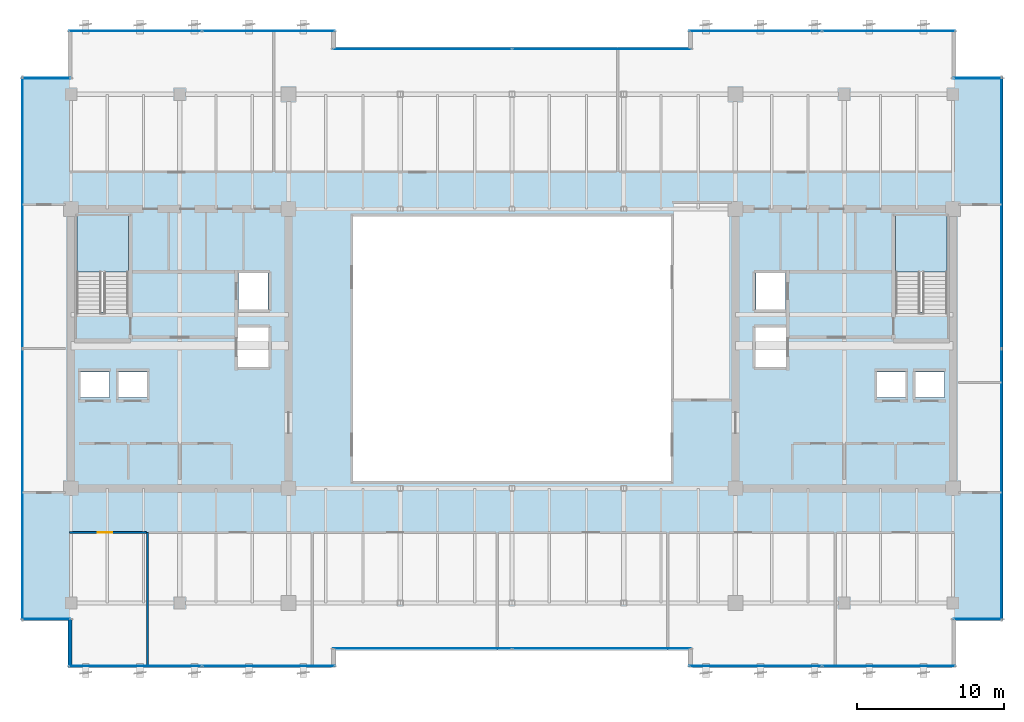
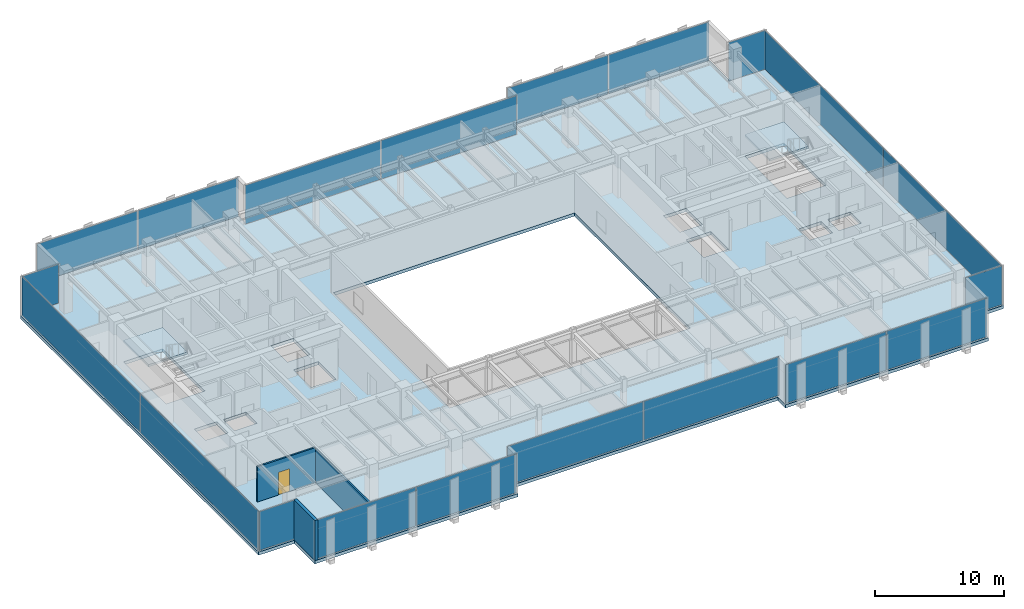
# One storey, part 27 of 36: 20 plates, 3 slabs, 3 walls, 1 door, 1 opening, 14 elements without a shape of their own.
"""IFC4 building model written with IfcOpenShell, lengths in metres."""

from ifc_helpers import new_model, si_unit, direction, frame, frame_2d, origin, origin_2d, place, context, subcontext, project, spatial, polyline, rectangle, outline, extrude, source, transform, mapped, material, layer, layer_set, type_object, type_shapes, element, fill, aggregate, save


model = new_model("IFC4")

# Units and contexts
model_context = context("Model", 3, precision=1e-05, world=origin(), true_north=direction((0.0, 1.0)))
body_context = subcontext(model_context, "Body", "Model", "MODEL_VIEW")
ifc_project = project(units=[si_unit("LENGTHUNIT", "METRE"), si_unit("AREAUNIT", "SQUARE_METRE"), si_unit("VOLUMEUNIT", "CUBIC_METRE"), si_unit("PLANEANGLEUNIT", "RADIAN"), si_unit("MASSUNIT", "GRAM", prefix="KILO")], contexts=[model_context])

# Site, building, storey
site_placement = place(None, origin())
site = spatial("IfcSite", under=ifc_project, at=site_placement, CompositionType="ELEMENT")
building_placement = place(site_placement, origin())
building = spatial("IfcBuilding", under=site, at=building_placement, Name="Haelvirn Gate Laboratories", CompositionType="ELEMENT")
storey_placement = place(building_placement, frame((0.0, 0.0, 242.39990234375)))
storey = spatial("IfcBuildingStorey", under=building, at=storey_placement, Name="L58", CompositionType="ELEMENT", Elevation=242.39990234375)

# Stair, slab
ifc_material_1 = material(Name="Concrete C40/50", Category="concrete")
stair_type = type_object("IfcStairType", Name="ST-DOG-1650-R22", PredefinedType="HALF_TURN_STAIR", material=ifc_material_1)
stair_1_placement = place(storey_placement, origin())
stair_1 = element("IfcStair", 1, at=stair_1_placement, inside=storey, type_object=stair_type, Name="L58 Escape Stair ST1", PredefinedType="HALF_TURN_STAIR")
ifc_layer_1 = layer(ifc_material_1, 0.199951171875, Name="SL-STAIR-LND")
ifc_layer_set_1 = layer_set([ifc_layer_1], Name="Concrete C40/50")
slab_type_1 = type_object("IfcSlabType", Name="SL-STAIR-LND", PredefinedType="LANDING", material=ifc_layer_set_1)
slab_1_placement = place(storey_placement, frame((0.0, 0.0, 1.85009765625)))
slab_1 = element("IfcSlab", 2, at=slab_1_placement, type_object=slab_type_1, Name="ST1 landing 1", PredefinedType="LANDING", context=body_context, shape_type="SweptSolid", body=[
    extrude(outline(polyline([(11.300048828125, 29.5), (11.300048828125, 33.35009765625), (7.800048828125, 33.35009765625), (7.800048828125, 29.5), (11.300048828125, 29.5)])), origin(), (0.0, 0.0, 1.0), 0.199951171875),
])
aggregate(stair_1, [slab_1])

stair_2_placement = place(storey_placement, origin())
stair_2 = element("IfcStair", 3, at=stair_2_placement, inside=storey, type_object=stair_type, Name="L58 Escape Stair ST2", PredefinedType="HALF_TURN_STAIR")
slab_2_placement = place(storey_placement, frame((0.0, 0.0, 1.85009765625)))
slab_2 = element("IfcSlab", 4, at=slab_2_placement, type_object=slab_type_1, Name="ST2 landing 1", PredefinedType="LANDING", context=body_context, shape_type="SweptSolid", body=[
    extrude(outline(polyline([(67.0, 29.5), (67.0, 33.35009765625), (63.5, 33.35009765625), (63.5, 29.5), (67.0, 29.5)])), origin(), (0.0, 0.0, 1.0), 0.199951171875),
])
aggregate(stair_2, [slab_2])

# Slab
ifc_layer_2 = layer(ifc_material_1, 0.300048828125, Name="SL-Z3-300")
ifc_layer_set_2 = layer_set([ifc_layer_2], Name="Concrete C40/50")
slab_type_2 = type_object("IfcSlabType", Name="SL-Z3-300", PredefinedType="FLOOR", material=ifc_layer_set_2)
slab_3_placement = place(storey_placement, frame((0.0, 0.0, -0.2998046875)))
element("IfcSlab", 5, at=slab_3_placement, inside=storey, type_object=slab_type_2, Name="L58 Structural Slab MAIN", PredefinedType="FLOOR", context=body_context, shape_type="SweptSolid", body=[
    extrude(outline(polyline([(7.199951171875, 2.60009765625), (25.39990234375, 2.60009765625), (25.39990234375, 3.800048828125), (49.39990234375, 3.800048828125), (49.39990234375, 2.60009765625), (67.60009765625, 2.60009765625), (67.60009765625, 5.800048828125), (70.800048828125, 5.800048828125), (70.800048828125, 42.800048828125), (67.60009765625, 42.800048828125), (67.60009765625, 46.0), (49.39990234375, 46.0), (49.39990234375, 44.800048828125), (25.39990234375, 44.800048828125), (25.39990234375, 46.0), (7.199951171875, 46.0), (7.199951171875, 42.800048828125), (4.0, 42.800048828125), (4.0, 5.800048828125), (7.199951171875, 5.800048828125), (7.199951171875, 2.60009765625)]), holes=[polyline([(26.60009765625, 15.300048828125), (48.199951171875, 15.300048828125), (48.199951171875, 33.300048828125), (26.60009765625, 33.300048828125), (26.60009765625, 15.300048828125)]), polyline([(11.300048828125, 26.780029296875), (11.300048828125, 33.35009765625), (7.800048828125, 33.35009765625), (7.800048828125, 26.780029296875), (11.300048828125, 26.780029296875)]), polyline([(67.0, 26.780029296875), (67.0, 33.35009765625), (63.5, 33.35009765625), (63.5, 26.780029296875), (67.0, 26.780029296875)]), polyline([(7.989990234375, 20.969970703125), (10.010009765625, 20.969970703125), (10.010009765625, 22.7099609375), (7.989990234375, 22.7099609375), (7.989990234375, 20.969970703125)]), polyline([(10.590087890625, 20.969970703125), (12.610107421875, 20.969970703125), (12.610107421875, 22.7099609375), (10.590087890625, 22.7099609375), (10.590087890625, 20.969970703125)]), polyline([(18.7900390625, 26.969970703125), (20.81005859375, 26.969970703125), (20.81005859375, 29.510009765625), (18.7900390625, 29.510009765625), (18.7900390625, 26.969970703125)]), polyline([(18.68994140625, 23.070068359375), (20.909912109375, 23.070068359375), (20.909912109375, 25.81005859375), (18.68994140625, 25.81005859375), (18.68994140625, 23.070068359375)]), polyline([(64.7900390625, 20.969970703125), (66.81005859375, 20.969970703125), (66.81005859375, 22.7099609375), (64.7900390625, 22.7099609375), (64.7900390625, 20.969970703125)]), polyline([(62.18994140625, 20.969970703125), (64.2099609375, 20.969970703125), (64.2099609375, 22.7099609375), (62.18994140625, 22.7099609375), (62.18994140625, 20.969970703125)]), polyline([(53.989990234375, 26.969970703125), (56.010009765625, 26.969970703125), (56.010009765625, 29.510009765625), (53.989990234375, 29.510009765625), (53.989990234375, 26.969970703125)]), polyline([(53.889892578125, 23.070068359375), (56.110107421875, 23.070068359375), (56.110107421875, 25.81005859375), (53.889892578125, 25.81005859375), (53.889892578125, 23.070068359375)])]), origin(), (0.0, 0.0, 1.0), 0.2998046875),
])

# Curtain wall, plates
ifc_material_2 = material(Name="Anodised bronze unitised aluminium & triple low-E glass", Category="aluminium")
ifc_layer_3 = layer(ifc_material_2, 0.176025390625, Name="CW-SYS-4")
ifc_layer_set_3 = layer_set([ifc_layer_3], Name="Anodised bronze unitised aluminium & triple low-E glass")
curtain_wall_type_1 = type_object("IfcCurtainWallType", Name="CW-SYS-4", PredefinedType="NOTDEFINED", material=ifc_layer_set_3)
curtain_wall_1_placement = place(storey_placement, origin())
curtain_wall_1 = element("IfcCurtainWall", 6, at=curtain_wall_1_placement, inside=storey, type_object=curtain_wall_type_1, Name="L58 Unitised Curtain Wall CW-L58-P0-E00-1", PredefinedType="NOTDEFINED")
ifc_material_3 = material(Name="Acoustic laminated bronze triple IGU 36 mm", Category="glass")
ifc_layer_4 = layer(ifc_material_3, 0.035888671875, Name="CWP-IGU-36")
ifc_layer_set_4 = layer_set([ifc_layer_4], Name="Acoustic laminated bronze triple IGU 36 mm")
plate_type_1 = type_object("IfcPlateType", Name="CWP-IGU-36", PredefinedType="CURTAIN_PANEL", material=ifc_layer_set_4)
shared_shape_1 = source(origin(), body_context, "Body", "SweptSolid", [
    extrude(rectangle(XDim=8.9951171875, YDim=0.035888671875, at=origin_2d()), origin(), (0.0, 0.0, 1.0), 3.669921875),
])
plate_1_placement = place(storey_placement, frame((11.767578125, 2.699951171875, 0.065185546875), z_axis=(0.0, 0.0, 1.0), x_axis=(1.0, 0.0, 0.0)))
plate_1 = element("IfcPlate", 7, at=plate_1_placement, type_object=plate_type_1, Name="CW4 panel 1.1", PredefinedType="CURTAIN_PANEL", context=body_context, shape_type="MappedRepresentation", body=[
    mapped(shared_shape_1, transform((0.0, 0.0, 0.0), scale=1.0)),
])
plate_2_placement = place(storey_placement, frame((20.83251953125, 2.699951171875, 0.065185546875), z_axis=(0.0, 0.0, 1.0), x_axis=(1.0, 0.0, 0.0)))
plate_2 = element("IfcPlate", 8, at=plate_2_placement, type_object=plate_type_1, Name="CW4 panel 2.1", PredefinedType="CURTAIN_PANEL", context=body_context, shape_type="MappedRepresentation", body=[
    mapped(shared_shape_1, transform((0.0, 0.0, 0.0), scale=1.0)),
])
aggregate(curtain_wall_1, [plate_1, plate_2])

curtain_wall_2_placement = place(storey_placement, origin())
curtain_wall_2 = element("IfcCurtainWall", 9, at=curtain_wall_2_placement, inside=storey, type_object=curtain_wall_type_1, Name="L58 Unitised Curtain Wall CW-L58-P0-E04-1", PredefinedType="NOTDEFINED")
plate_3_placement = place(storey_placement, frame((53.967529296875, 2.699951171875, 0.065185546875), z_axis=(0.0, 0.0, 1.0), x_axis=(1.0, 0.0, 0.0)))
plate_3 = element("IfcPlate", 10, at=plate_3_placement, type_object=plate_type_1, Name="CW4 panel 1.1", PredefinedType="CURTAIN_PANEL", context=body_context, shape_type="MappedRepresentation", body=[
    mapped(shared_shape_1, transform((0.0, 0.0, 0.0), scale=1.0)),
])
plate_4_placement = place(storey_placement, frame((63.032470703125, 2.699951171875, 0.065185546875), z_axis=(0.0, 0.0, 1.0), x_axis=(1.0, 0.0, 0.0)))
plate_4 = element("IfcPlate", 11, at=plate_4_placement, type_object=plate_type_1, Name="CW4 panel 2.1", PredefinedType="CURTAIN_PANEL", context=body_context, shape_type="MappedRepresentation", body=[
    mapped(shared_shape_1, transform((0.0, 0.0, 0.0), scale=1.0)),
])
aggregate(curtain_wall_2, [plate_3, plate_4])

curtain_wall_3_placement = place(storey_placement, origin())
curtain_wall_3 = element("IfcCurtainWall", 12, at=curtain_wall_3_placement, inside=storey, type_object=curtain_wall_type_1, Name="L58 Unitised Curtain Wall CW-L58-P0-E10-1", PredefinedType="NOTDEFINED")
plate_5_placement = place(storey_placement, frame((53.967529296875, 45.89990234375, 0.065185546875), z_axis=(0.0, 0.0, 1.0), x_axis=(1.0, 0.0, 0.0)))
plate_5 = element("IfcPlate", 13, at=plate_5_placement, type_object=plate_type_1, Name="CW4 panel 1.1", PredefinedType="CURTAIN_PANEL", context=body_context, shape_type="MappedRepresentation", body=[
    mapped(shared_shape_1, transform((0.0, 0.0, 0.0), scale=1.0)),
])
plate_6_placement = place(storey_placement, frame((63.032470703125, 45.89990234375, 0.065185546875), z_axis=(0.0, 0.0, 1.0), x_axis=(1.0, 0.0, 0.0)))
plate_6 = element("IfcPlate", 14, at=plate_6_placement, type_object=plate_type_1, Name="CW4 panel 2.1", PredefinedType="CURTAIN_PANEL", context=body_context, shape_type="MappedRepresentation", body=[
    mapped(shared_shape_1, transform((0.0, 0.0, 0.0), scale=1.0)),
])
aggregate(curtain_wall_3, [plate_5, plate_6])

curtain_wall_4_placement = place(storey_placement, origin())
curtain_wall_4 = element("IfcCurtainWall", 15, at=curtain_wall_4_placement, inside=storey, type_object=curtain_wall_type_1, Name="L58 Unitised Curtain Wall CW-L58-P0-E14-1", PredefinedType="NOTDEFINED")
plate_7_placement = place(storey_placement, frame((11.767578125, 45.89990234375, 0.065185546875), z_axis=(0.0, 0.0, 1.0), x_axis=(1.0, 0.0, 0.0)))
plate_7 = element("IfcPlate", 16, at=plate_7_placement, type_object=plate_type_1, Name="CW4 panel 1.1", PredefinedType="CURTAIN_PANEL", context=body_context, shape_type="MappedRepresentation", body=[
    mapped(shared_shape_1, transform((0.0, 0.0, 0.0), scale=1.0)),
])
plate_8_placement = place(storey_placement, frame((20.83251953125, 45.89990234375, 0.065185546875), z_axis=(0.0, 0.0, 1.0), x_axis=(1.0, 0.0, 0.0)))
plate_8 = element("IfcPlate", 17, at=plate_8_placement, type_object=plate_type_1, Name="CW4 panel 2.1", PredefinedType="CURTAIN_PANEL", context=body_context, shape_type="MappedRepresentation", body=[
    mapped(shared_shape_1, transform((0.0, 0.0, 0.0), scale=1.0)),
])
aggregate(curtain_wall_4, [plate_7, plate_8])

curtain_wall_5_placement = place(storey_placement, origin())
curtain_wall_5 = element("IfcCurtainWall", 18, at=curtain_wall_5_placement, inside=storey, type_object=curtain_wall_type_1, Name="L58 Unitised Curtain Wall CW-L58-P0-E02-1", PredefinedType="NOTDEFINED")
shared_shape_2 = source(origin(), body_context, "Body", "SweptSolid", [
    extrude(rectangle(XDim=12.135009765625, YDim=0.035888671875, at=origin_2d()), origin(), (0.0, 0.0, 1.0), 3.669921875),
])
plate_9_placement = place(storey_placement, frame((31.297607421875, 3.89990234375, 0.065185546875), z_axis=(0.0, 0.0, 1.0), x_axis=(1.0, 0.0, 0.0)))
plate_9 = element("IfcPlate", 19, at=plate_9_placement, type_object=plate_type_1, Name="CW4 panel 1.1", PredefinedType="CURTAIN_PANEL", context=body_context, shape_type="MappedRepresentation", body=[
    mapped(shared_shape_2, transform((0.0, 0.0, 0.0), scale=1.0)),
])
plate_10_placement = place(storey_placement, frame((43.50244140625, 3.89990234375, 0.065185546875), z_axis=(0.0, 0.0, 1.0), x_axis=(1.0, 0.0, 0.0)))
plate_10 = element("IfcPlate", 20, at=plate_10_placement, type_object=plate_type_1, Name="CW4 panel 2.1", PredefinedType="CURTAIN_PANEL", context=body_context, shape_type="MappedRepresentation", body=[
    mapped(shared_shape_2, transform((0.0, 0.0, 0.0), scale=1.0)),
])
aggregate(curtain_wall_5, [plate_9, plate_10])

curtain_wall_6_placement = place(storey_placement, origin())
curtain_wall_6 = element("IfcCurtainWall", 21, at=curtain_wall_6_placement, inside=storey, type_object=curtain_wall_type_1, Name="L58 Unitised Curtain Wall CW-L58-P0-E12-1", PredefinedType="NOTDEFINED")
plate_11_placement = place(storey_placement, frame((31.297607421875, 44.699951171875, 0.065185546875), z_axis=(0.0, 0.0, 1.0), x_axis=(1.0, 0.0, 0.0)))
plate_11 = element("IfcPlate", 22, at=plate_11_placement, type_object=plate_type_1, Name="CW4 panel 1.1", PredefinedType="CURTAIN_PANEL", context=body_context, shape_type="MappedRepresentation", body=[
    mapped(shared_shape_2, transform((0.0, 0.0, 0.0), scale=1.0)),
])
plate_12_placement = place(storey_placement, frame((43.50244140625, 44.699951171875, 0.065185546875), z_axis=(0.0, 0.0, 1.0), x_axis=(1.0, 0.0, 0.0)))
plate_12 = element("IfcPlate", 23, at=plate_12_placement, type_object=plate_type_1, Name="CW4 panel 2.1", PredefinedType="CURTAIN_PANEL", context=body_context, shape_type="MappedRepresentation", body=[
    mapped(shared_shape_2, transform((0.0, 0.0, 0.0), scale=1.0)),
])
aggregate(curtain_wall_6, [plate_11, plate_12])

# Curtain wall, plate
ifc_layer_5 = layer(ifc_material_2, 0.181884765625, Name="CW-SYS-5")
ifc_layer_set_5 = layer_set([ifc_layer_5], Name="Anodised bronze unitised aluminium & triple low-E glass")
curtain_wall_type_2 = type_object("IfcCurtainWallType", Name="CW-SYS-5", PredefinedType="NOTDEFINED", material=ifc_layer_set_5)
curtain_wall_7_placement = place(storey_placement, origin())
curtain_wall_7 = element("IfcCurtainWall", 24, at=curtain_wall_7_placement, inside=storey, type_object=curtain_wall_type_2, Name="L58 Unitised Curtain Wall CW-L58-P0-E06-1", PredefinedType="NOTDEFINED")
ifc_material_4 = material(Name="Clear low-iron notched-corner triple IGU 42 mm", Category="glass")
ifc_layer_6 = layer(ifc_material_4, 0.0419921875, Name="CWP-NTC-42")
ifc_layer_set_6 = layer_set([ifc_layer_6], Name="Clear low-iron notched-corner triple IGU 42 mm")
plate_type_2 = type_object("IfcPlateType", Name="CWP-NTC-42", PredefinedType="CURTAIN_PANEL", material=ifc_layer_set_6)
shared_shape_3 = source(origin(), body_context, "Body", "SweptSolid", [
    extrude(rectangle(XDim=3.280029296875, YDim=0.0419921875, at=origin_2d()), origin(), (0.0, 0.0, 1.0), 3.669921875),
])
type_shapes(plate_type_2, [shared_shape_3])
plate_13_placement = place(storey_placement, frame((69.080078125, 5.89990234375, 0.065185546875), z_axis=(0.0, 0.0, 1.0), x_axis=(1.0, 0.0, 0.0)))
plate_13 = element("IfcPlate", 25, at=plate_13_placement, type_object=plate_type_2, Name="CW5 panel 1.1", PredefinedType="CURTAIN_PANEL", context=body_context, shape_type="MappedRepresentation", body=[
    mapped(shared_shape_3, transform((0.0, 0.0, 0.0), scale=1.0)),
])
aggregate(curtain_wall_7, [plate_13])

curtain_wall_8_placement = place(storey_placement, origin())
curtain_wall_8 = element("IfcCurtainWall", 26, at=curtain_wall_8_placement, inside=storey, type_object=curtain_wall_type_2, Name="L58 Unitised Curtain Wall CW-L58-P0-E08-1", PredefinedType="NOTDEFINED")
plate_14_placement = place(storey_placement, frame((69.080078125, 42.699951171875, 0.065185546875), z_axis=(0.0, 0.0, 1.0), x_axis=(1.0, 0.0, 0.0)))
plate_14 = element("IfcPlate", 27, at=plate_14_placement, type_object=plate_type_2, Name="CW5 panel 1.1", PredefinedType="CURTAIN_PANEL", context=body_context, shape_type="MappedRepresentation", body=[
    mapped(shared_shape_3, transform((0.0, 0.0, 0.0), scale=1.0)),
])
aggregate(curtain_wall_8, [plate_14])

curtain_wall_9_placement = place(storey_placement, origin())
curtain_wall_9 = element("IfcCurtainWall", 28, at=curtain_wall_9_placement, inside=storey, type_object=curtain_wall_type_2, Name="L58 Unitised Curtain Wall CW-L58-P0-E16-1", PredefinedType="NOTDEFINED")
plate_15_placement = place(storey_placement, frame((5.719970703125, 42.699951171875, 0.065185546875), z_axis=(0.0, 0.0, 1.0), x_axis=(1.0, 0.0, 0.0)))
plate_15 = element("IfcPlate", 29, at=plate_15_placement, type_object=plate_type_2, Name="CW5 panel 1.1", PredefinedType="CURTAIN_PANEL", context=body_context, shape_type="MappedRepresentation", body=[
    mapped(shared_shape_3, transform((0.0, 0.0, 0.0), scale=1.0)),
])
aggregate(curtain_wall_9, [plate_15])

curtain_wall_10_placement = place(storey_placement, origin())
curtain_wall_10 = element("IfcCurtainWall", 30, at=curtain_wall_10_placement, inside=storey, type_object=curtain_wall_type_2, Name="L58 Unitised Curtain Wall CW-L58-P0-E18-1", PredefinedType="NOTDEFINED")
plate_16_placement = place(storey_placement, frame((5.719970703125, 5.89990234375, 0.065185546875), z_axis=(0.0, 0.0, 1.0), x_axis=(1.0, 0.0, 0.0)))
plate_16 = element("IfcPlate", 31, at=plate_16_placement, type_object=plate_type_2, Name="CW5 panel 1.1", PredefinedType="CURTAIN_PANEL", context=body_context, shape_type="MappedRepresentation", body=[
    mapped(shared_shape_3, transform((0.0, 0.0, 0.0), scale=1.0)),
])
aggregate(curtain_wall_10, [plate_16])

# Curtain wall, plates
curtain_wall_11_placement = place(storey_placement, origin())
curtain_wall_11 = element("IfcCurtainWall", 32, at=curtain_wall_11_placement, inside=storey, type_object=curtain_wall_type_1, Name="L58 Unitised Curtain Wall CW-L58-P0-E07", PredefinedType="NOTDEFINED")
shared_shape_4 = source(origin(), body_context, "Body", "SweptSolid", [
    extrude(rectangle(XDim=18.39501953125, YDim=0.035888671875, at=origin_2d()), origin(), (0.0, 0.0, 1.0), 3.669921875),
])
type_shapes(plate_type_1, [shared_shape_1, shared_shape_2, shared_shape_4])
plate_17_placement = place(storey_placement, frame((70.699951171875, 15.0673828125, 0.065185546875), z_axis=(0.0, 0.0, 1.0), x_axis=(0.0, 1.0, 0.0)))
plate_17 = element("IfcPlate", 33, at=plate_17_placement, type_object=plate_type_1, Name="CW4 panel 1.1", PredefinedType="CURTAIN_PANEL", context=body_context, shape_type="MappedRepresentation", body=[
    mapped(shared_shape_4, transform((0.0, 0.0, 0.0), scale=1.0)),
])
plate_18_placement = place(storey_placement, frame((70.699951171875, 33.532470703125, 0.065185546875), z_axis=(0.0, 0.0, 1.0), x_axis=(0.0, 1.0, 0.0)))
plate_18 = element("IfcPlate", 34, at=plate_18_placement, type_object=plate_type_1, Name="CW4 panel 2.1", PredefinedType="CURTAIN_PANEL", context=body_context, shape_type="MappedRepresentation", body=[
    mapped(shared_shape_4, transform((0.0, 0.0, 0.0), scale=1.0)),
])
aggregate(curtain_wall_11, [plate_17, plate_18])

curtain_wall_12_placement = place(storey_placement, origin())
curtain_wall_12 = element("IfcCurtainWall", 35, at=curtain_wall_12_placement, inside=storey, type_object=curtain_wall_type_1, Name="L58 Unitised Curtain Wall CW-L58-P0-E17", PredefinedType="NOTDEFINED")
plate_19_placement = place(storey_placement, frame((4.10009765625, 33.532470703125, 0.065185546875), z_axis=(0.0, 0.0, 1.0), x_axis=(0.0, -1.0, 0.0)))
plate_19 = element("IfcPlate", 36, at=plate_19_placement, type_object=plate_type_1, Name="CW4 panel 1.1", PredefinedType="CURTAIN_PANEL", context=body_context, shape_type="MappedRepresentation", body=[
    mapped(shared_shape_4, transform((0.0, 0.0, 0.0), scale=1.0)),
])
plate_20_placement = place(storey_placement, frame((4.10009765625, 15.0673828125, 0.065185546875), z_axis=(0.0, 0.0, 1.0), x_axis=(0.0, -1.0, 0.0)))
plate_20 = element("IfcPlate", 37, at=plate_20_placement, type_object=plate_type_1, Name="CW4 panel 2.1", PredefinedType="CURTAIN_PANEL", context=body_context, shape_type="MappedRepresentation", body=[
    mapped(shared_shape_4, transform((0.0, 0.0, 0.0), scale=1.0)),
])
aggregate(curtain_wall_12, [plate_19, plate_20])

# Walls
ifc_material_5 = material(Name="Thermally-broken bronze aluminium rainscreen & mineral wool", Category="aluminium")
ifc_layer_7 = layer(ifc_material_5, 0.280029296875, Name="EW-TERR-280")
ifc_layer_set_7 = layer_set([ifc_layer_7], Name="Thermally-broken bronze aluminium rainscreen & mineral wool")
wall_type_1 = type_object("IfcWallType", Name="EW-TERR-280", PredefinedType="STANDARD", material=ifc_layer_set_7)
wall_1_placement = place(storey_placement, frame((7.340087890625, 5.887939453125, 0.0), z_axis=(0.0, 0.0, 1.0), x_axis=(0.0, -1.0, 0.0)))
element("IfcWall", 38, at=wall_1_placement, inside=storey, type_object=wall_type_1, Name="L58 Atrium Recess Bronze Return Wall 19", PredefinedType="STANDARD", context=body_context, shape_type="SweptSolid", body=[
    extrude(rectangle(XDim=3.287841796875, YDim=0.280029296875, at=frame_2d((1.64404296875, 0.0))), origin(), (0.0, 0.0, 1.0), 3.800048828125),
])
ifc_material_6 = material(Name="Double-layer acoustic gypsum laboratory partition", Category="gypsum")
ifc_layer_8 = layer(ifc_material_6, 0.159912109375, Name="IW-ACOUST-160")
ifc_layer_set_8 = layer_set([ifc_layer_8], Name="Double-layer acoustic gypsum laboratory partition")
wall_type_2 = type_object("IfcWallType", Name="IW-ACOUST-160", PredefinedType="PARTITIONING", material=ifc_layer_set_8)
wall_2_placement = place(storey_placement, frame((12.60009765625, 2.7099609375, 0.0), z_axis=(0.0, 0.0, 1.0), x_axis=(0.0, 1.0, 0.0)))
element("IfcWall", 39, at=wall_2_placement, inside=storey, type_object=wall_type_2, Name="L58 Interior Wall IW-L58-SDIV-01", PredefinedType="PARTITIONING", context=body_context, shape_type="SweptSolid", body=[
    extrude(rectangle(XDim=9.080078125, YDim=0.159912109375, at=frame_2d((4.5400390625, 0.0))), origin(), (0.0, 0.0, 1.0), 3.135009765625),
])

# Wall, opening, door
ifc_material_7 = material(Name="Acoustic mineral-wool gypsum board partition", Category="gypsum")
ifc_layer_9 = layer(ifc_material_7, 0.139892578125, Name="IW-PART-140")
ifc_layer_set_9 = layer_set([ifc_layer_9], Name="Acoustic mineral-wool gypsum board partition")
wall_type_3 = type_object("IfcWallType", Name="IW-PART-140", PredefinedType="PARTITIONING", material=ifc_layer_set_9)
wall_3_placement = place(storey_placement, frame((7.31005859375, 11.7900390625, 0.0), z_axis=(0.0, 0.0, 1.0), x_axis=(1.0, 0.0, 0.0)))
wall_3 = element("IfcWall", 40, at=wall_3_placement, inside=storey, type_object=wall_type_3, Name="L58 Interior Wall IW-L58-SCORR-01", PredefinedType="PARTITIONING", context=body_context, shape_type="SweptSolid", body=[
    extrude(rectangle(XDim=5.2099609375, YDim=0.139892578125, at=frame_2d((2.60498046875, 0.0))), origin(), (0.0, 0.0, 1.0), 3.335205078125),
])
opening_placement = place(wall_3_placement, frame((1.894287109375, 0.0, 0.0)))
opening = element("IfcOpeningElement", 41, at=opening_placement, cuts=wall_3, Name="Opening D2", PredefinedType="OPENING", context=body_context, shape_type="SweptSolid", body=[
    extrude(rectangle(XDim=1.0, YDim=2.14990234375, at=frame_2d((0.5, 1.074951171875))), frame((0.0, 0.080078125, 0.0), z_axis=(0.0, -1.0, 0.0), x_axis=(1.0, 0.0, 0.0)), (0.0, 0.0, 1.0), 0.159912109375),
])
ifc_material_8 = material(Name="Acoustic solid-core timber suite door", Category="wood")
door_type = type_object("IfcDoorType", Name="DR-INT-1000", OperationType="NOTDEFINED", PredefinedType="DOOR", material=ifc_material_8)
shared_shape_5 = source(origin(), body_context, "Body", "SweptSolid", [
    extrude(rectangle(XDim=1.0, YDim=2.14990234375, at=frame_2d((0.5, 1.074951171875))), frame((0.0, 0.02490234375, 0.0), z_axis=(0.0, -1.0, 0.0), x_axis=(1.0, 0.0, 0.0)), (0.0, 0.0, 1.0), 0.050048828125),
])
type_shapes(door_type, [shared_shape_5])
door_placement = place(opening_placement, origin())
door = element("IfcDoor", 42, at=door_placement, inside=storey, type_object=door_type, Name="L58 Bioinformatics Dry-Lab Workspace Door S1", OperationType="SINGLE_SWING_LEFT", OverallHeight=2.14990234375, OverallWidth=1.0, PredefinedType="DOOR", context=body_context, shape_type="MappedRepresentation", body=[
    mapped(shared_shape_5, transform((0.0, 0.0, 0.0), scale=1.0)),
])
fill(opening, door)

save(model, "model.ifc")
